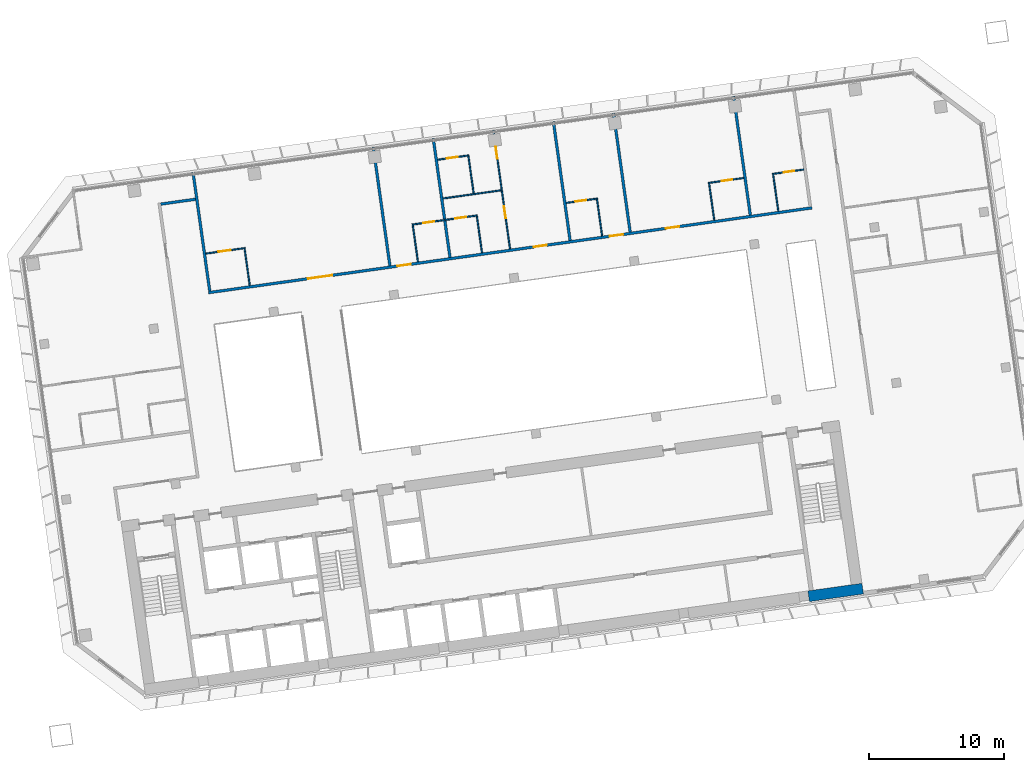
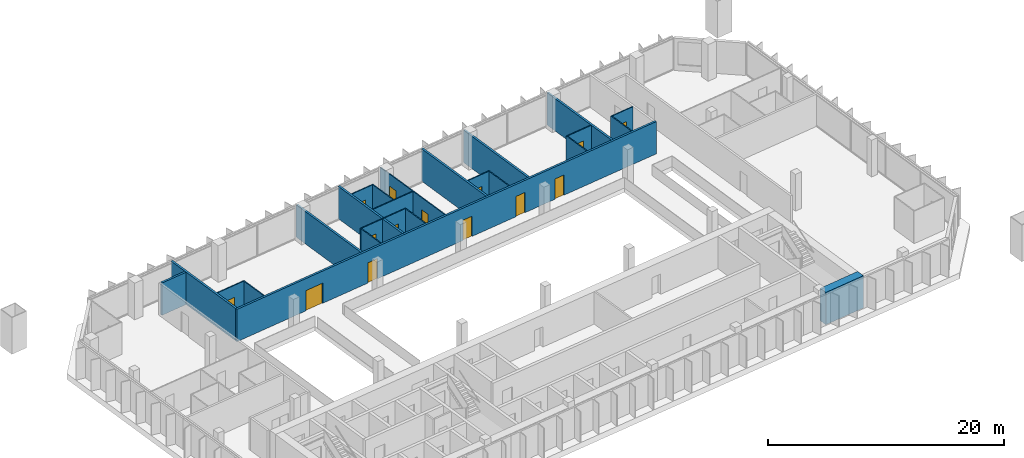
# One storey, part 20 of 25: 24 walls, 14 doors, 14 openings.
"""IFC4 building model written with IfcOpenShell, lengths in metres."""

from ifc_helpers import new_model, si_unit, direction, frame, frame_2d, origin, place, context, subcontext, project, spatial, rectangle, extrude, material, layer, layer_set, type_object, element, fill, save


model = new_model("IFC4")

# Units and contexts
model_context = context("Model", 3, precision=1e-05, world=origin(), true_north=direction((0.0, 1.0)))
body_context = subcontext(model_context, "Body", "Model", "MODEL_VIEW")
ifc_project = project(units=[si_unit("LENGTHUNIT", "METRE"), si_unit("AREAUNIT", "SQUARE_METRE"), si_unit("VOLUMEUNIT", "CUBIC_METRE"), si_unit("PLANEANGLEUNIT", "RADIAN"), si_unit("MASSUNIT", "GRAM", prefix="KILO")], contexts=[model_context])

# Site, building, storey
site_placement = place(None, origin())
site = spatial("IfcSite", under=ifc_project, at=site_placement, CompositionType="ELEMENT")
building_placement = place(site_placement, origin())
building = spatial("IfcBuilding", under=site, at=building_placement, Name="Mirante Cascada Hotel Towers", CompositionType="ELEMENT")
storey_placement = place(building_placement, frame((0.0, 0.0, 129.1)))
storey = spatial("IfcBuildingStorey", under=building, at=storey_placement, Name="L29", CompositionType="ELEMENT", Elevation=129.1)

# Wall, openings, doors
ifc_material_1 = material(Name="Fire-rated plasterboard on metal studs")
ifc_layer_1 = layer(ifc_material_1, 0.2)
ifc_layer_set_1 = layer_set([ifc_layer_1], Name="Compartment wall 200 EI 120")
wall_type_1 = type_object("IfcWallType", Name="Compartment wall 200 EI 120", PredefinedType="PARTITIONING", material=ifc_layer_set_1)
wall_1_placement = place(storey_placement, frame((41.8779, 9.7676, 0.0), z_axis=(0.0, 0.0, 1.0), x_axis=(0.9902681, 0.1391726, 0.0)))
wall_1 = element("IfcWall", 1, at=wall_1_placement, inside=storey, type_object=wall_type_1, Name="Wall 2-L29-12", PredefinedType="PARTITIONING", context=body_context, shape_type="SweptSolid", body=[
    extrude(rectangle(XDim=45.2, YDim=0.2, at=frame_2d((22.6, 0.0))), origin(), (0.0, 0.0, 1.0), 3.35),
])
opening_1_placement = place(wall_1_placement, frame((7.45, 0.0, 0.0)))
opening_1 = element("IfcOpeningElement", 2, at=opening_1_placement, cuts=wall_1, Name="Opening D2-L29-06", PredefinedType="OPENING", context=body_context, shape_type="SweptSolid", body=[
    extrude(rectangle(XDim=1.8, YDim=2.1, at=frame_2d((0.9, 1.05))), frame((0.0, 0.1, 0.0), z_axis=(0.0, -1.0, 0.0), x_axis=(1.0, 0.0, 0.0)), (0.0, 0.0, 1.0), 0.2),
])
opening_2_placement = place(wall_1_placement, frame((14.15, 0.0, 0.0)))
opening_2 = element("IfcOpeningElement", 3, at=opening_2_placement, cuts=wall_1, Name="Opening D2-L29-07", PredefinedType="OPENING", context=body_context, shape_type="SweptSolid", body=[
    extrude(rectangle(XDim=1.0, YDim=2.1, at=frame_2d((0.5, 1.05))), frame((0.0, 0.1, 0.0), z_axis=(0.0, -1.0, 0.0), x_axis=(1.0, 0.0, 0.0)), (0.0, 0.0, 1.0), 0.2),
])
opening_3_placement = place(wall_1_placement, frame((24.35, 0.0, 0.0)))
opening_3 = element("IfcOpeningElement", 4, at=opening_3_placement, cuts=wall_1, Name="Opening D2-L29-08", PredefinedType="OPENING", context=body_context, shape_type="SweptSolid", body=[
    extrude(rectangle(XDim=1.0, YDim=2.1, at=frame_2d((0.5, 1.05))), frame((0.0, 0.1, 0.0), z_axis=(0.0, -1.0, 0.0), x_axis=(1.0, 0.0, 0.0)), (0.0, 0.0, 1.0), 0.2),
])
opening_4_placement = place(wall_1_placement, frame((30.05, 0.0, 0.0)))
opening_4 = element("IfcOpeningElement", 5, at=opening_4_placement, cuts=wall_1, Name="Opening D2-L29-09", PredefinedType="OPENING", context=body_context, shape_type="SweptSolid", body=[
    extrude(rectangle(XDim=1.0, YDim=2.1, at=frame_2d((0.5, 1.05))), frame((0.0, 0.1, 0.0), z_axis=(0.0, -1.0, 0.0), x_axis=(1.0, 0.0, 0.0)), (0.0, 0.0, 1.0), 0.2),
])
opening_5_placement = place(wall_1_placement, frame((34.25, 0.0, 0.0)))
opening_5 = element("IfcOpeningElement", 6, at=opening_5_placement, cuts=wall_1, Name="Opening D2-L29-10", PredefinedType="OPENING", context=body_context, shape_type="SweptSolid", body=[
    extrude(rectangle(XDim=1.0, YDim=2.1, at=frame_2d((0.5, 1.05))), frame((0.0, 0.1, 0.0), z_axis=(0.0, -1.0, 0.0), x_axis=(1.0, 0.0, 0.0)), (0.0, 0.0, 1.0), 0.2),
])
ifc_material_2 = material(Name="Fire-rated timber door leaf", Category="wood")
door_type_1 = type_object("IfcDoorType", Name="Entrance door DG1 1000x2100 EI 60", OperationType="SINGLE_SWING_LEFT", PredefinedType="DOOR", material=ifc_material_2)
door_1_placement = place(opening_2_placement, origin())
door_1 = element("IfcDoor", 7, at=door_1_placement, inside=storey, type_object=door_type_1, Name="Door D2-L29-07", OperationType="SINGLE_SWING_LEFT", OverallHeight=2.1, OverallWidth=1.0, PredefinedType="DOOR", context=body_context, shape_type="SweptSolid", body=[
    extrude(rectangle(XDim=1.0, YDim=2.1, at=frame_2d((0.5, 1.05))), frame((0.0, 0.025, 0.0), z_axis=(0.0, -1.0, 0.0), x_axis=(1.0, 0.0, 0.0)), (0.0, 0.0, 1.0), 0.05),
])
fill(opening_2, door_1)
door_2_placement = place(opening_3_placement, origin())
door_2 = element("IfcDoor", 8, at=door_2_placement, inside=storey, type_object=door_type_1, Name="Door D2-L29-08", OperationType="SINGLE_SWING_LEFT", OverallHeight=2.1, OverallWidth=1.0, PredefinedType="DOOR", context=body_context, shape_type="SweptSolid", body=[
    extrude(rectangle(XDim=1.0, YDim=2.1, at=frame_2d((0.5, 1.05))), frame((0.0, 0.025, 0.0), z_axis=(0.0, -1.0, 0.0), x_axis=(1.0, 0.0, 0.0)), (0.0, 0.0, 1.0), 0.05),
])
fill(opening_3, door_2)
door_3_placement = place(opening_4_placement, origin())
door_3 = element("IfcDoor", 9, at=door_3_placement, inside=storey, type_object=door_type_1, Name="Door D2-L29-09", OperationType="SINGLE_SWING_LEFT", OverallHeight=2.1, OverallWidth=1.0, PredefinedType="DOOR", context=body_context, shape_type="SweptSolid", body=[
    extrude(rectangle(XDim=1.0, YDim=2.1, at=frame_2d((0.5, 1.05))), frame((0.0, 0.025, 0.0), z_axis=(0.0, -1.0, 0.0), x_axis=(1.0, 0.0, 0.0)), (0.0, 0.0, 1.0), 0.05),
])
fill(opening_4, door_3)
door_4_placement = place(opening_5_placement, origin())
door_4 = element("IfcDoor", 10, at=door_4_placement, inside=storey, type_object=door_type_1, Name="Door D2-L29-10", OperationType="SINGLE_SWING_LEFT", OverallHeight=2.1, OverallWidth=1.0, PredefinedType="DOOR", context=body_context, shape_type="SweptSolid", body=[
    extrude(rectangle(XDim=1.0, YDim=2.1, at=frame_2d((0.5, 1.05))), frame((0.0, 0.025, 0.0), z_axis=(0.0, -1.0, 0.0), x_axis=(1.0, 0.0, 0.0)), (0.0, 0.0, 1.0), 0.05),
])
fill(opening_5, door_4)
ifc_material_3 = material(Name="Fire-rated timber door leaf", Category="wood")
door_type_2 = type_object("IfcDoorType", Name="Suite double door DG2 1800x2100 EI 60", OperationType="DOUBLE_DOOR_SINGLE_SWING", PredefinedType="DOOR", material=ifc_material_3)
door_5_placement = place(opening_1_placement, origin())
door_5 = element("IfcDoor", 11, at=door_5_placement, inside=storey, type_object=door_type_2, Name="Door D2-L29-06", OperationType="DOUBLE_DOOR_SINGLE_SWING", OverallHeight=2.1, OverallWidth=1.8, PredefinedType="DOOR", context=body_context, shape_type="SweptSolid", body=[
    extrude(rectangle(XDim=0.895, YDim=2.1, at=frame_2d((0.4475, 1.05))), frame((0.0, 0.025, 0.0), z_axis=(0.0, -1.0, 0.0), x_axis=(1.0, 0.0, 0.0)), (0.0, 0.0, 1.0), 0.05),
    extrude(rectangle(XDim=0.895, YDim=2.1, at=frame_2d((1.3525, 1.05))), frame((0.0, 0.025, 0.0), z_axis=(0.0, -1.0, 0.0), x_axis=(1.0, 0.0, 0.0)), (0.0, 0.0, 1.0), 0.05),
])
fill(opening_1, door_5)

# Walls
wall_2_placement = place(storey_placement, frame((38.329, 16.3376, 0.0), z_axis=(0.0, 0.0, 1.0), x_axis=(0.9902647, 0.1391971, 0.0)))
element("IfcWall", 12, at=wall_2_placement, inside=storey, type_object=wall_type_1, Name="Wall 2-L29-20", PredefinedType="PARTITIONING", context=body_context, shape_type="SweptSolid", body=[
    extrude(rectangle(XDim=2.5999, YDim=0.2, at=frame_2d((1.3, 0.0))), origin(), (0.0, 0.0, 1.0), 3.35),
])
for number, where, z_axis, x_axis, name in (
    (13, (40.7243, 18.6939, 0.0), (0.0, 0.0, 1.0), (0.1391794, -0.9902672, 0.0), "Wall 2-L29-29"),
    (14, (54.0929, 20.5728, 0.0), (0.0, 0.0, 1.0), (0.1391794, -0.9902672, 0.0), "Wall 2-L29-31"),
):
    element("IfcWall", number, at=place(storey_placement, frame(where, z_axis=z_axis, x_axis=x_axis)), inside=storey, type_object=wall_type_1, Name=name, PredefinedType="PARTITIONING", context=body_context, shape_type="SweptSolid", body=[
        extrude(rectangle(XDim=8.9, YDim=0.2, at=frame_2d((4.45, 0.0))), origin(), (0.0, 0.0, 1.0), 3.35),
    ])
wall_3_placement = place(storey_placement, frame((58.5492, 21.199, 0.0), z_axis=(0.0, 0.0, 1.0), x_axis=(0.13917, -0.9902685, 0.0)))
element("IfcWall", 15, at=wall_3_placement, inside=storey, type_object=wall_type_1, Name="Wall 2-L29-33", PredefinedType="PARTITIONING", context=body_context, shape_type="SweptSolid", body=[
    extrude(rectangle(XDim=8.8999, YDim=0.2, at=frame_2d((4.45, 0.0))), origin(), (0.0, 0.0, 1.0), 3.35),
])
for number, where, z_axis, x_axis, name in (
    (16, (67.4616, 22.4516, 0.0), (0.0, 0.0, 1.0), (0.1391684, -0.9902687, 0.0), "Wall 2-L29-37"),
    (17, (71.9178, 23.0779, 0.0), (0.0, 0.0, 1.0), (0.1391684, -0.9902687, 0.0), "Wall 2-L29-39"),
):
    element("IfcWall", number, at=place(storey_placement, frame(where, z_axis=z_axis, x_axis=x_axis)), inside=storey, type_object=wall_type_1, Name=name, PredefinedType="PARTITIONING", context=body_context, shape_type="SweptSolid", body=[
        extrude(rectangle(XDim=8.9, YDim=0.2, at=frame_2d((4.45, 0.0))), origin(), (0.0, 0.0, 1.0), 3.35),
    ])
wall_4_placement = place(storey_placement, frame((80.8302, 24.3304, 0.0), z_axis=(0.0, 0.0, 1.0), x_axis=(0.13917, -0.9902685, 0.0)))
element("IfcWall", 18, at=wall_4_placement, inside=storey, type_object=wall_type_1, Name="Wall 2-L29-41", PredefinedType="PARTITIONING", context=body_context, shape_type="SweptSolid", body=[
    extrude(rectangle(XDim=8.8999, YDim=0.2, at=frame_2d((4.45, 0.0))), origin(), (0.0, 0.0, 1.0), 3.35),
])

# Wall, opening, door
ifc_material_4 = material(Name="Plasterboard on metal studs")
ifc_layer_2 = layer(ifc_material_4, 0.1)
ifc_layer_set_2 = layer_set([ifc_layer_2], Name="Partition 100")
wall_type_2 = type_object("IfcWallType", Name="Partition 100", PredefinedType="PARTITIONING", material=ifc_layer_set_2)
wall_5_placement = place(storey_placement, frame((44.5936, 13.0778, 0.0), z_axis=(0.0, 0.0, 1.0), x_axis=(-0.9902663, -0.1391858, 0.0)))
wall_5 = element("IfcWall", 19, at=wall_5_placement, inside=storey, type_object=wall_type_2, Name="Wall 2-L29-13", PredefinedType="PARTITIONING", context=body_context, shape_type="SweptSolid", body=[
    extrude(rectangle(XDim=2.95, YDim=0.1, at=frame_2d((1.475, 0.0))), origin(), (0.0, 0.0, 1.0), 3.35),
])
opening_6_placement = place(wall_5_placement, frame((1.1, 0.0, 0.0)))
opening_6 = element("IfcOpeningElement", 20, at=opening_6_placement, cuts=wall_5, Name="Opening D2-L29-11", PredefinedType="OPENING", context=body_context, shape_type="SweptSolid", body=[
    extrude(rectangle(XDim=0.9, YDim=2.1, at=frame_2d((0.45, 1.05))), frame((0.0, 0.05, 0.0), z_axis=(0.0, -1.0, 0.0), x_axis=(1.0, 0.0, 0.0)), (0.0, 0.0, 1.0), 0.1),
])
ifc_material_5 = material(Name="Timber door leaf", Category="wood")
door_type_3 = type_object("IfcDoorType", Name="Room door DG3 900x2100", OperationType="SINGLE_SWING_LEFT", PredefinedType="DOOR", material=ifc_material_5)
door_6_placement = place(opening_6_placement, frame((0.9, 0.0, 0.0), z_axis=(0.0, 0.0, 1.0), x_axis=(-1.0, 0.0, 0.0)))
door_6 = element("IfcDoor", 21, at=door_6_placement, inside=storey, type_object=door_type_3, Name="Door D2-L29-11", OperationType="SINGLE_SWING_RIGHT", OverallHeight=2.1, OverallWidth=0.9, PredefinedType="DOOR", context=body_context, shape_type="SweptSolid", body=[
    extrude(rectangle(XDim=0.9, YDim=2.1, at=frame_2d((0.45, 1.05))), frame((0.0, 0.025, 0.0), z_axis=(0.0, -1.0, 0.0), x_axis=(1.0, 0.0, 0.0)), (0.0, 0.0, 1.0), 0.05),
])
fill(opening_6, door_6)

# Wall, openings, doors
wall_6_placement = place(storey_placement, frame((56.972, 14.8174, 0.0), z_axis=(0.0, 0.0, 1.0), x_axis=(0.9902666, 0.1391838, 0.0)))
wall_6 = element("IfcWall", 22, at=wall_6_placement, inside=storey, type_object=wall_type_2, Name="Wall 2-L29-14", PredefinedType="PARTITIONING", context=body_context, shape_type="SweptSolid", body=[
    extrude(rectangle(XDim=4.9, YDim=0.1, at=frame_2d((2.45, 0.0))), origin(), (0.0, 0.0, 1.0), 3.35),
])
opening_7_placement = place(wall_6_placement, frame((0.85, 0.0, 0.0)))
opening_7 = element("IfcOpeningElement", 23, at=opening_7_placement, cuts=wall_6, Name="Opening D2-L29-12", PredefinedType="OPENING", context=body_context, shape_type="SweptSolid", body=[
    extrude(rectangle(XDim=0.8, YDim=2.1, at=frame_2d((0.4, 1.05))), frame((0.0, 0.05, 0.0), z_axis=(0.0, -1.0, 0.0), x_axis=(1.0, 0.0, 0.0)), (0.0, 0.0, 1.0), 0.1),
])
opening_8_placement = place(wall_6_placement, frame((3.25, 0.0, 0.0)))
opening_8 = element("IfcOpeningElement", 24, at=opening_8_placement, cuts=wall_6, Name="Opening D2-L29-13", PredefinedType="OPENING", context=body_context, shape_type="SweptSolid", body=[
    extrude(rectangle(XDim=0.8, YDim=2.1, at=frame_2d((0.4, 1.05))), frame((0.0, 0.05, 0.0), z_axis=(0.0, -1.0, 0.0), x_axis=(1.0, 0.0, 0.0)), (0.0, 0.0, 1.0), 0.1),
])
ifc_material_6 = material(Name="Timber door leaf", Category="wood")
door_type_4 = type_object("IfcDoorType", Name="Bathroom door DG4 800x2100", OperationType="SINGLE_SWING_LEFT", PredefinedType="DOOR", material=ifc_material_6)
door_7_placement = place(opening_7_placement, origin())
door_7 = element("IfcDoor", 25, at=door_7_placement, inside=storey, type_object=door_type_4, Name="Door D2-L29-12", OperationType="SINGLE_SWING_LEFT", OverallHeight=2.1, OverallWidth=0.8, PredefinedType="DOOR", context=body_context, shape_type="SweptSolid", body=[
    extrude(rectangle(XDim=0.8, YDim=2.1, at=frame_2d((0.4, 1.05))), frame((0.0, 0.025, 0.0), z_axis=(0.0, -1.0, 0.0), x_axis=(1.0, 0.0, 0.0)), (0.0, 0.0, 1.0), 0.05),
])
fill(opening_7, door_7)
door_8_placement = place(opening_8_placement, frame((0.8, 0.0, 0.0), z_axis=(0.0, 0.0, 1.0), x_axis=(-1.0, 0.0, 0.0)))
door_8 = element("IfcDoor", 26, at=door_8_placement, inside=storey, type_object=door_type_4, Name="Door D2-L29-13", OperationType="SINGLE_SWING_RIGHT", OverallHeight=2.1, OverallWidth=0.8, PredefinedType="DOOR", context=body_context, shape_type="SweptSolid", body=[
    extrude(rectangle(XDim=0.8, YDim=2.1, at=frame_2d((0.4, 1.05))), frame((0.0, 0.025, 0.0), z_axis=(0.0, -1.0, 0.0), x_axis=(1.0, 0.0, 0.0)), (0.0, 0.0, 1.0), 0.05),
])
fill(opening_8, door_8)

# Wall, opening, door
wall_7_placement = place(storey_placement, frame((70.6377, 16.738, 0.0), z_axis=(0.0, 0.0, 1.0), x_axis=(-0.9902705, -0.1391561, 0.0)))
wall_7 = element("IfcWall", 27, at=wall_7_placement, inside=storey, type_object=wall_type_2, Name="Wall 2-L29-15", PredefinedType="PARTITIONING", context=body_context, shape_type="SweptSolid", body=[
    extrude(rectangle(XDim=2.25, YDim=0.1, at=frame_2d((1.125, 0.0))), origin(), (0.0, 0.0, 1.0), 3.35),
])
opening_9_placement = place(wall_7_placement, frame((0.75, 0.0, 0.0)))
opening_9 = element("IfcOpeningElement", 28, at=opening_9_placement, cuts=wall_7, Name="Opening D2-L29-14", PredefinedType="OPENING", context=body_context, shape_type="SweptSolid", body=[
    extrude(rectangle(XDim=0.8, YDim=2.1, at=frame_2d((0.4, 1.05))), frame((0.0, 0.05, 0.0), z_axis=(0.0, -1.0, 0.0), x_axis=(1.0, 0.0, 0.0)), (0.0, 0.0, 1.0), 0.1),
])
door_9_placement = place(opening_9_placement, frame((0.8, 0.0, 0.0), z_axis=(0.0, 0.0, 1.0), x_axis=(-1.0, 0.0, 0.0)))
door_9 = element("IfcDoor", 29, at=door_9_placement, inside=storey, type_object=door_type_4, Name="Door D2-L29-14", OperationType="SINGLE_SWING_RIGHT", OverallHeight=2.1, OverallWidth=0.8, PredefinedType="DOOR", context=body_context, shape_type="SweptSolid", body=[
    extrude(rectangle(XDim=0.8, YDim=2.1, at=frame_2d((0.4, 1.05))), frame((0.0, 0.025, 0.0), z_axis=(0.0, -1.0, 0.0), x_axis=(1.0, 0.0, 0.0)), (0.0, 0.0, 1.0), 0.05),
])
fill(opening_9, door_9)

wall_8_placement = place(storey_placement, frame((79.0549, 17.921, 0.0), z_axis=(0.0, 0.0, 1.0), x_axis=(0.9902677, 0.1391755, 0.0)))
wall_8 = element("IfcWall", 30, at=wall_8_placement, inside=storey, type_object=wall_type_2, Name="Wall 2-L29-16", PredefinedType="PARTITIONING", context=body_context, shape_type="SweptSolid", body=[
    extrude(rectangle(XDim=2.55, YDim=0.1, at=frame_2d((1.275, 0.0))), origin(), (0.0, 0.0, 1.0), 3.35),
])
opening_10_placement = place(wall_8_placement, frame((0.9, 0.0, 0.0)))
opening_10 = element("IfcOpeningElement", 31, at=opening_10_placement, cuts=wall_8, Name="Opening D2-L29-15", PredefinedType="OPENING", context=body_context, shape_type="SweptSolid", body=[
    extrude(rectangle(XDim=0.8, YDim=2.1, at=frame_2d((0.4, 1.05))), frame((0.0, 0.05, 0.0), z_axis=(0.0, -1.0, 0.0), x_axis=(1.0, 0.0, 0.0)), (0.0, 0.0, 1.0), 0.1),
])
door_10_placement = place(opening_10_placement, origin())
door_10 = element("IfcDoor", 32, at=door_10_placement, inside=storey, type_object=door_type_4, Name="Door D2-L29-15", OperationType="SINGLE_SWING_LEFT", OverallHeight=2.1, OverallWidth=0.8, PredefinedType="DOOR", context=body_context, shape_type="SweptSolid", body=[
    extrude(rectangle(XDim=0.8, YDim=2.1, at=frame_2d((0.4, 1.05))), frame((0.0, 0.025, 0.0), z_axis=(0.0, -1.0, 0.0), x_axis=(1.0, 0.0, 0.0)), (0.0, 0.0, 1.0), 0.05),
])
fill(opening_10, door_10)

wall_9_placement = place(storey_placement, frame((86.0363, 18.9022, 0.0), z_axis=(0.0, 0.0, 1.0), x_axis=(-0.9902643, -0.1391997, 0.0)))
wall_9 = element("IfcWall", 33, at=wall_9_placement, inside=storey, type_object=wall_type_2, Name="Wall 2-L29-17", PredefinedType="PARTITIONING", context=body_context, shape_type="SweptSolid", body=[
    extrude(rectangle(XDim=2.25, YDim=0.1, at=frame_2d((1.125, 0.0))), origin(), (0.0, 0.0, 1.0), 3.35),
])
opening_11_placement = place(wall_9_placement, frame((0.7, 0.0, 0.0)))
opening_11 = element("IfcOpeningElement", 34, at=opening_11_placement, cuts=wall_9, Name="Opening D2-L29-16", PredefinedType="OPENING", context=body_context, shape_type="SweptSolid", body=[
    extrude(rectangle(XDim=0.8, YDim=2.1, at=frame_2d((0.4, 1.05))), frame((0.0, 0.05, 0.0), z_axis=(0.0, -1.0, 0.0), x_axis=(1.0, 0.0, 0.0)), (0.0, 0.0, 1.0), 0.1),
])
door_11_placement = place(opening_11_placement, frame((0.8, 0.0, 0.0), z_axis=(0.0, 0.0, 1.0), x_axis=(-1.0, 0.0, 0.0)))
door_11 = element("IfcDoor", 35, at=door_11_placement, inside=storey, type_object=door_type_4, Name="Door D2-L29-16", OperationType="SINGLE_SWING_RIGHT", OverallHeight=2.1, OverallWidth=0.8, PredefinedType="DOOR", context=body_context, shape_type="SweptSolid", body=[
    extrude(rectangle(XDim=0.8, YDim=2.1, at=frame_2d((0.4, 1.05))), frame((0.0, 0.025, 0.0), z_axis=(0.0, -1.0, 0.0), x_axis=(1.0, 0.0, 0.0)), (0.0, 0.0, 1.0), 0.05),
])
fill(opening_11, door_11)

# Wall
wall_10_placement = place(storey_placement, frame((63.5821, 17.3622, 0.0), z_axis=(0.0, 0.0, 1.0), x_axis=(-0.9902679, -0.1391745, 0.0)))
element("IfcWall", 36, at=wall_10_placement, inside=storey, type_object=wall_type_2, Name="Wall 2-L29-19", PredefinedType="PARTITIONING", context=body_context, shape_type="SweptSolid", body=[
    extrude(rectangle(XDim=4.3499, YDim=0.1, at=frame_2d((2.175, 0.0))), origin(), (0.0, 0.0, 1.0), 3.35),
])

# Wall, opening, door
wall_11_placement = place(storey_placement, frame((58.8709, 19.6285, 0.0), z_axis=(0.0, 0.0, 1.0), x_axis=(0.9902643, 0.1391997, 0.0)))
wall_11 = element("IfcWall", 37, at=wall_11_placement, inside=storey, type_object=wall_type_2, Name="Wall 2-L29-22", PredefinedType="PARTITIONING", context=body_context, shape_type="SweptSolid", body=[
    extrude(rectangle(XDim=2.25, YDim=0.1, at=frame_2d((1.125, 0.0))), origin(), (0.0, 0.0, 1.0), 3.35),
])
opening_12_placement = place(wall_11_placement, frame((0.7, 0.0, 0.0)))
opening_12 = element("IfcOpeningElement", 38, at=opening_12_placement, cuts=wall_11, Name="Opening D2-L29-17", PredefinedType="OPENING", context=body_context, shape_type="SweptSolid", body=[
    extrude(rectangle(XDim=0.8, YDim=2.1, at=frame_2d((0.4, 1.05))), frame((0.0, 0.05, 0.0), z_axis=(0.0, -1.0, 0.0), x_axis=(1.0, 0.0, 0.0)), (0.0, 0.0, 1.0), 0.1),
])
door_12_placement = place(opening_12_placement, frame((0.8, 0.0, 0.0), z_axis=(0.0, 0.0, 1.0), x_axis=(-1.0, 0.0, 0.0)))
door_12 = element("IfcDoor", 39, at=door_12_placement, inside=storey, type_object=door_type_4, Name="Door D2-L29-17", OperationType="SINGLE_SWING_RIGHT", OverallHeight=2.1, OverallWidth=0.8, PredefinedType="DOOR", context=body_context, shape_type="SweptSolid", body=[
    extrude(rectangle(XDim=0.8, YDim=2.1, at=frame_2d((0.4, 1.05))), frame((0.0, 0.025, 0.0), z_axis=(0.0, -1.0, 0.0), x_axis=(1.0, 0.0, 0.0)), (0.0, 0.0, 1.0), 0.05),
])
fill(opening_12, door_12)

# Walls
wall_12_placement = place(storey_placement, frame((44.9338, 10.2981, 0.0), z_axis=(0.0, 0.0, 1.0), x_axis=(-0.1392013, 0.9902641, 0.0)))
element("IfcWall", 40, at=wall_12_placement, inside=storey, type_object=wall_type_2, Name="Wall 2-L29-30", PredefinedType="PARTITIONING", context=body_context, shape_type="SweptSolid", body=[
    extrude(rectangle(XDim=2.75, YDim=0.1, at=frame_2d((1.375, 0.0))), origin(), (0.0, 0.0, 1.0), 3.35),
])
wall_13_placement = place(storey_placement, frame((57.4112, 12.0516, 0.0), z_axis=(0.0, 0.0, 1.0), x_axis=(-0.1391963, 0.9902648, 0.0)))
element("IfcWall", 41, at=wall_13_placement, inside=storey, type_object=wall_type_2, Name="Wall 2-L29-32", PredefinedType="PARTITIONING", context=body_context, shape_type="SweptSolid", body=[
    extrude(rectangle(XDim=2.7501, YDim=0.1, at=frame_2d((1.3751, 0.0))), origin(), (0.0, 0.0, 1.0), 3.35),
])
wall_14_placement = place(storey_placement, frame((62.1644, 12.7197, 0.0), z_axis=(0.0, 0.0, 1.0), x_axis=(-0.1391657, 0.9902691, 0.0)))
element("IfcWall", 42, at=wall_14_placement, inside=storey, type_object=wall_type_2, Name="Wall 2-L29-34", PredefinedType="PARTITIONING", context=body_context, shape_type="SweptSolid", body=[
    extrude(rectangle(XDim=2.75, YDim=0.1, at=frame_2d((1.375, 0.0))), origin(), (0.0, 0.0, 1.0), 3.35),
])
wall_15_placement = place(storey_placement, frame((61.1415, 19.9981, 0.0), z_axis=(0.0, 0.0, 1.0), x_axis=(0.1391761, -0.9902676, 0.0)))
element("IfcWall", 43, at=wall_15_placement, inside=storey, type_object=wall_type_2, Name="Wall 2-L29-35", PredefinedType="PARTITIONING", context=body_context, shape_type="SweptSolid", body=[
    extrude(rectangle(XDim=2.8999, YDim=0.1, at=frame_2d((1.45, 0.0))), origin(), (0.0, 0.0, 1.0), 3.35),
])

# Wall, openings, doors
wall_16_placement = place(storey_placement, frame((64.244, 13.0119, 0.0), z_axis=(0.0, 0.0, 1.0), x_axis=(-0.1391684, 0.9902687, 0.0)))
wall_16 = element("IfcWall", 44, at=wall_16_placement, inside=storey, type_object=wall_type_2, Name="Wall 2-L29-36", PredefinedType="PARTITIONING", context=body_context, shape_type="SweptSolid", body=[
    extrude(rectangle(XDim=8.9, YDim=0.1, at=frame_2d((4.45, 0.0))), origin(), (0.0, 0.0, 1.0), 3.35),
])
opening_13_placement = place(wall_16_placement, frame((2.3, 0.0, 0.0)))
opening_13 = element("IfcOpeningElement", 45, at=opening_13_placement, cuts=wall_16, Name="Opening D2-L29-22", PredefinedType="OPENING", context=body_context, shape_type="SweptSolid", body=[
    extrude(rectangle(XDim=0.9, YDim=2.1, at=frame_2d((0.45, 1.05))), frame((0.0, 0.05, 0.0), z_axis=(0.0, -1.0, 0.0), x_axis=(1.0, 0.0, 0.0)), (0.0, 0.0, 1.0), 0.1),
])
opening_14_placement = place(wall_16_placement, frame((6.75, 0.0, 0.0)))
opening_14 = element("IfcOpeningElement", 46, at=opening_14_placement, cuts=wall_16, Name="Opening D2-L29-23", PredefinedType="OPENING", context=body_context, shape_type="SweptSolid", body=[
    extrude(rectangle(XDim=0.9, YDim=2.1, at=frame_2d((0.45, 1.05))), frame((0.0, 0.05, 0.0), z_axis=(0.0, -1.0, 0.0), x_axis=(1.0, 0.0, 0.0)), (0.0, 0.0, 1.0), 0.1),
])
door_13_placement = place(opening_13_placement, frame((0.9, 0.0, 0.0), z_axis=(0.0, 0.0, 1.0), x_axis=(-1.0, 0.0, 0.0)))
door_13 = element("IfcDoor", 47, at=door_13_placement, inside=storey, type_object=door_type_3, Name="Door D2-L29-22", OperationType="SINGLE_SWING_RIGHT", OverallHeight=2.1, OverallWidth=0.9, PredefinedType="DOOR", context=body_context, shape_type="SweptSolid", body=[
    extrude(rectangle(XDim=0.9, YDim=2.1, at=frame_2d((0.45, 1.05))), frame((0.0, 0.025, 0.0), z_axis=(0.0, -1.0, 0.0), x_axis=(1.0, 0.0, 0.0)), (0.0, 0.0, 1.0), 0.05),
])
fill(opening_13, door_13)
door_14_placement = place(opening_14_placement, frame((0.9, 0.0, 0.0), z_axis=(0.0, 0.0, 1.0), x_axis=(-1.0, 0.0, 0.0)))
door_14 = element("IfcDoor", 48, at=door_14_placement, inside=storey, type_object=door_type_3, Name="Door D2-L29-23", OperationType="SINGLE_SWING_RIGHT", OverallHeight=2.1, OverallWidth=0.9, PredefinedType="DOOR", context=body_context, shape_type="SweptSolid", body=[
    extrude(rectangle(XDim=0.9, YDim=2.1, at=frame_2d((0.45, 1.05))), frame((0.0, 0.025, 0.0), z_axis=(0.0, -1.0, 0.0), x_axis=(1.0, 0.0, 0.0)), (0.0, 0.0, 1.0), 0.05),
])
fill(opening_14, door_14)

# Walls
for number, where, z_axis, x_axis, name in (
    (49, (71.0769, 13.9722, 0.0), (0.0, 0.0, 1.0), (-0.1391909, 0.9902656, 0.0), "Wall 2-L29-38"),
    (50, (79.3951, 15.1413, 0.0), (0.0, 0.0, 1.0), (-0.1391564, 0.9902704, 0.0), "Wall 2-L29-40"),
    (51, (84.1484, 15.8093, 0.0), (0.0, 0.0, 1.0), (-0.1391909, 0.9902656, 0.0), "Wall 2-L29-42"),
):
    element("IfcWall", number, at=place(storey_placement, frame(where, z_axis=z_axis, x_axis=x_axis)), inside=storey, type_object=wall_type_2, Name=name, PredefinedType="PARTITIONING", context=body_context, shape_type="SweptSolid", body=[
        extrude(rectangle(XDim=2.85, YDim=0.1, at=frame_2d((1.425, 0.0))), origin(), (0.0, 0.0, 1.0), 3.35),
    ])
ifc_material_7 = material(Name="Concrete C50/60", Category="concrete")
ifc_layer_3 = layer(ifc_material_7, 0.8)
ifc_layer_set_3 = layer_set([ifc_layer_3], Name="RC core wall 800 C50/60")
wall_type_3 = type_object("IfcWallType", Name="RC core wall 800 C50/60", PredefinedType="SHEAR", material=ifc_layer_set_3)
wall_17_placement = place(storey_placement, frame((86.3958, -12.7559, 0.0), z_axis=(0.0, 0.0, 1.0), x_axis=(0.9902665, 0.1391845, 0.0)))
element("IfcWall", 52, at=wall_17_placement, inside=storey, type_object=wall_type_3, Name="Core wall T2:L29:1.7", PredefinedType="SHEAR", context=body_context, shape_type="SweptSolid", body=[
    extrude(rectangle(XDim=4.05, YDim=0.8, at=frame_2d((2.025, 0.0))), origin(), (0.0, 0.0, 1.0), 3.35),
])

save(model, "model.ifc")
